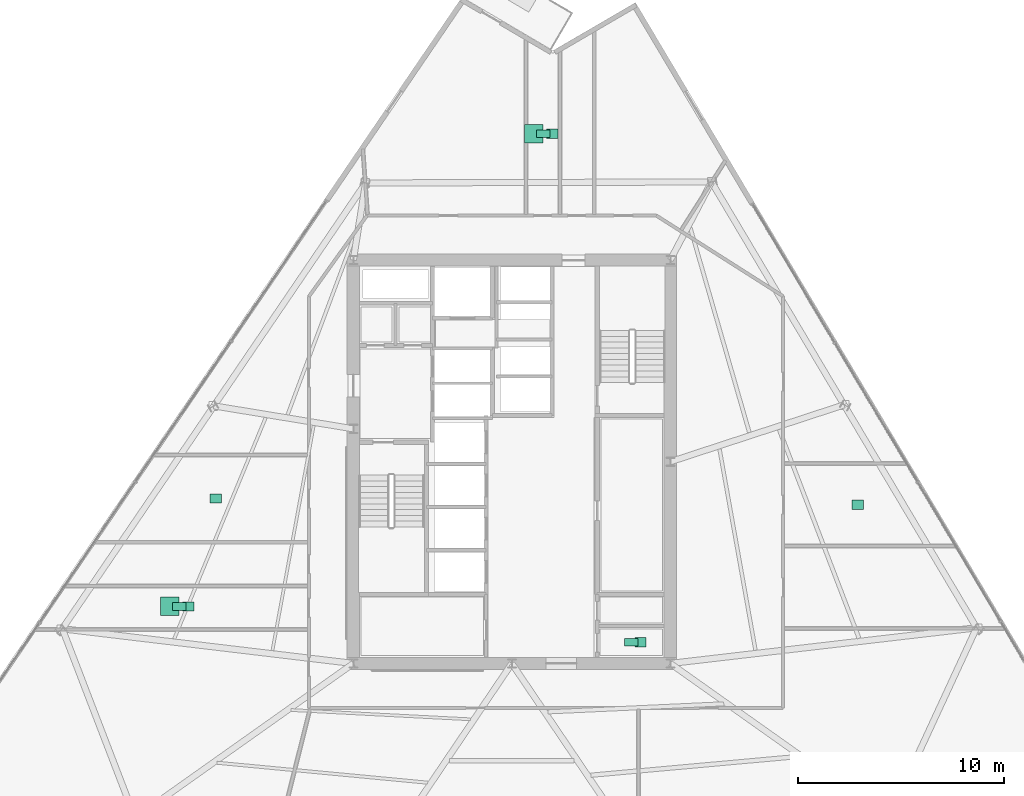
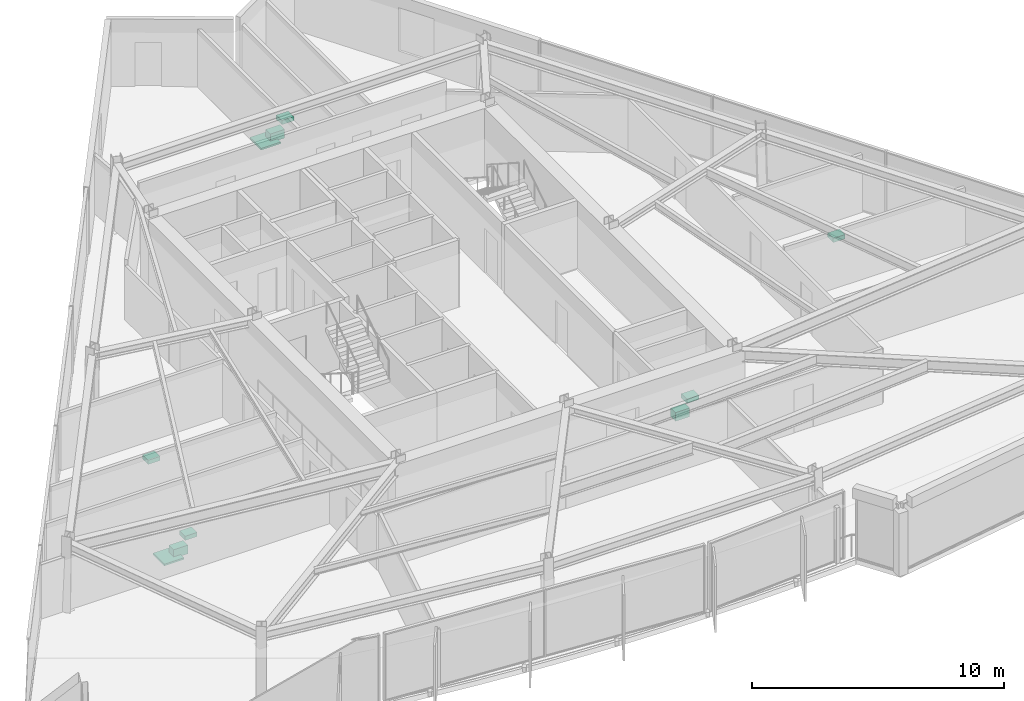
# One storey, part 15 of 15: 10 sanitary terminals.
"""IFC4 building model written with IfcOpenShell, lengths in metres."""

from ifc_helpers import new_model, si_unit, direction, frame, origin, origin_2d, place, context, subcontext, project, spatial, rectangle, extrude, material, type_object, element, save


model = new_model("IFC4")

# Units and contexts
model_context = context("Model", 3, precision=1e-05, world=origin(), true_north=direction((0.0, 1.0)))
body_context = subcontext(model_context, "Body", "Model", "MODEL_VIEW")
ifc_project = project(units=[si_unit("LENGTHUNIT", "METRE"), si_unit("AREAUNIT", "SQUARE_METRE"), si_unit("VOLUMEUNIT", "CUBIC_METRE"), si_unit("PLANEANGLEUNIT", "RADIAN"), si_unit("MASSUNIT", "GRAM", prefix="KILO")], contexts=[model_context])

# Site, building, storey
site_placement = place(None, origin())
site = spatial("IfcSite", under=ifc_project, at=site_placement, CompositionType="ELEMENT")
building_placement = place(site_placement, origin())
building = spatial("IfcBuilding", under=site, at=building_placement, Name="Savorim Split Tower", CompositionType="ELEMENT")
storey_placement = place(building_placement, frame((0.0, 0.0, 125.699951171875)))
storey = spatial("IfcBuildingStorey", under=building, at=storey_placement, Name="L33", CompositionType="ELEMENT", Elevation=125.699951171875)

# Sanitary terminals
ifc_material = material(Name="Vitreous China Sanitaryware")
sanitary_terminal_type_1 = type_object("IfcSanitaryTerminalType", Name="SAN-SHW-900", PredefinedType="SHOWER", material=ifc_material)
for number, where, z_axis, x_axis, name in (
    (1, (-16.615966796875, -6.630615234375, 0.0), (0.0, 0.0, 1.0), (1.0, 0.0, 0.0), "L33 Shared Bathroom Shower"),
    (2, (1.071044921875, 16.337158203125, 0.0), (0.0, 0.0, 1.0), (1.0, 0.0, 0.0), "L33 Shared Bathroom Shower"),
):
    element("IfcSanitaryTerminal", number, at=place(storey_placement, frame(where, z_axis=z_axis, x_axis=x_axis)), inside=storey, type_object=sanitary_terminal_type_1, Name=name, PredefinedType="SHOWER", context=body_context, shape_type="SweptSolid", body=[
        extrude(rectangle(XDim=0.89990234375, YDim=0.89990234375, at=origin_2d()), origin(), (0.0, 0.0, 1.0), 0.080078125),
    ])
sanitary_terminal_type_2 = type_object("IfcSanitaryTerminalType", Name="SAN-WC-PAN", PredefinedType="TOILETPAN", material=ifc_material)
for number, where, z_axis, x_axis, name in (
    (3, (5.800048828125, -8.3701171875, 0.0), (0.0, 0.0, 1.0), (1.0, 0.0, 0.0), "L33 Accessible WC WC Pan"),
    (4, (-16.166015625, -6.630615234375, 0.0), (0.0, 0.0, 1.0), (1.0, 0.0, 0.0), "L33 Shared Bathroom WC Pan"),
    (5, (1.52099609375, 16.337158203125, 0.0), (0.0, 0.0, 1.0), (1.0, 0.0, 0.0), "L33 Shared Bathroom WC Pan"),
):
    element("IfcSanitaryTerminal", number, at=place(storey_placement, frame(where, z_axis=z_axis, x_axis=x_axis)), inside=storey, type_object=sanitary_terminal_type_2, Name=name, PredefinedType="TOILETPAN", context=body_context, shape_type="SweptSolid", body=[
        extrude(rectangle(XDim=0.64990234375, YDim=0.3798828125, at=origin_2d()), origin(), (0.0, 0.0, 1.0), 0.419921875),
    ])
sanitary_terminal_type_3 = type_object("IfcSanitaryTerminalType", Name="SAN-WHB-550", PredefinedType="WASHHANDBASIN", material=ifc_material)
for number, where, z_axis, x_axis, name in (
    (6, (6.25, -8.3701171875, 0.72021484375), (0.0, 0.0, 1.0), (1.0, 0.0, 0.0), "L33 Accessible WC Washhand Basin"),
    (7, (-14.382080078125, -1.385986328125, 0.75), (0.0, 0.0, 1.0), (1.0, 0.0, 0.0), "L33 Shared Kitchen Utility Sink"),
    (8, (-15.716064453125, -6.630615234375, 0.72021484375), (0.0, 0.0, 1.0), (1.0, 0.0, 0.0), "L33 Shared Bathroom Washhand Basin"),
    (9, (16.80810546875, -1.686279296875, 0.75), (0.0, 0.0, 1.0), (1.0, 0.0, 0.0), "L33 Community Laundry Room Utility Sink"),
    (10, (1.970947265625, 16.337158203125, 0.72021484375), (0.0, 0.0, 1.0), (1.0, 0.0, 0.0), "L33 Shared Bathroom Washhand Basin"),
):
    element("IfcSanitaryTerminal", number, at=place(storey_placement, frame(where, z_axis=z_axis, x_axis=x_axis)), inside=storey, type_object=sanitary_terminal_type_3, Name=name, PredefinedType="WASHHANDBASIN", context=body_context, shape_type="SweptSolid", body=[
        extrude(rectangle(XDim=0.550048828125, YDim=0.449951171875, at=origin_2d()), origin(), (0.0, 0.0, 1.0), 0.199951171875),
    ])

save(model, "model.ifc")
